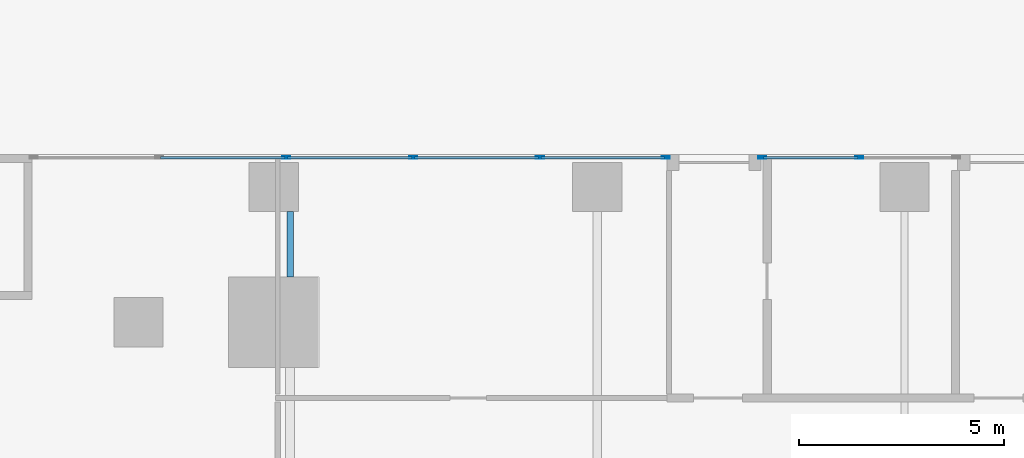
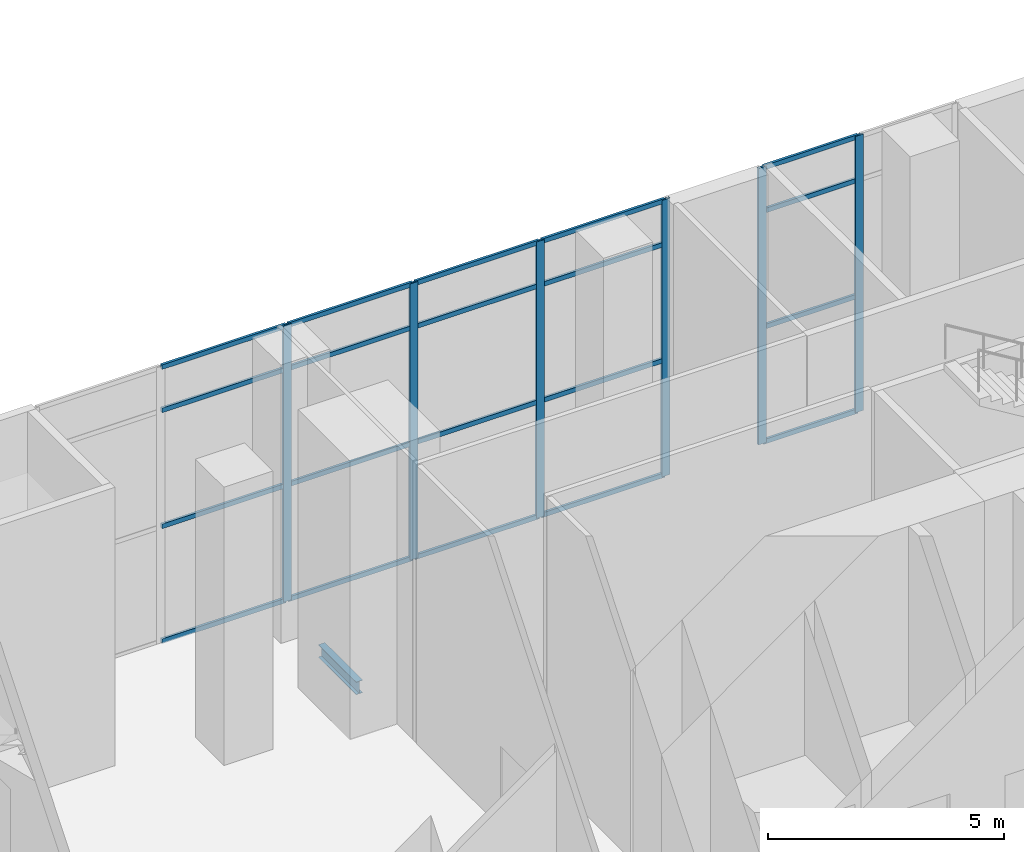
# One storey, part 17 of 52: 26 members, 1 beam, 2 elements without a shape of their own.
"""IFC4 building model written with IfcOpenShell, lengths in metres."""

import ifcopenshell
import ifcopenshell.guid

model = None  # the IFC model being written
_history = None  # IfcOwnerHistory: only IFC2X3 demands one
_inside = {}  # id of a spatial element -> (the spatial element, [elements in it])
_under = {}  # id of a project, library or spatial element -> (it, [spatial elements below it])
_declared = {}  # id of a project -> (the project, [libraries it declares])
_typed = {}  # id of a type object -> (the type object, [elements of that type])
_made_of = {}  # id of a material, layer set ... -> (it, [elements and type objects made of it])


def new_model(schema):
    """Start an empty IFC model of exactly this schema.

    Asked for "IFC4X3", IfcOpenShell would pick the latest addendum, in which some entities
    have other attributes; the version numbers below select the first issue.
    IFC2X3 requires an IfcOwnerHistory on every rooted entity: one is made here for all.
    """
    global model, _history
    if schema == "IFC4X3":
        model = ifcopenshell.file(schema_version=(4, 3, 0, 0))
    else:
        model = ifcopenshell.file(schema=schema)
    _inside.clear()
    _under.clear()
    _declared.clear()
    _typed.clear()
    _made_of.clear()
    _history = None
    if model.schema == "IFC2X3":
        org = make("IfcOrganization", Name="unknown")
        user = make(
            "IfcPersonAndOrganization",
            ThePerson=make("IfcPerson", FamilyName="unknown"),
            TheOrganization=org,
        )
        app = make(
            "IfcApplication",
            ApplicationDeveloper=org,
            Version="unknown",
            ApplicationFullName="unknown",
            ApplicationIdentifier="unknown",
        )
        _history = make(
            "IfcOwnerHistory",
            OwningUser=user,
            OwningApplication=app,
            ChangeAction="ADDED",
            CreationDate=0,
        )
    return model


def make(cls, **values):
    """One entity of the class cls with the attributes given. An attribute that is None is left unset."""
    return model.create_entity(
        cls, **{name: value for name, value in values.items() if value is not None}
    )


def rooted(cls, **values):
    """An entity with a GlobalId (a new one), such as an element, a storey or a relation."""
    return make(cls, GlobalId=ifcopenshell.guid.new(), OwnerHistory=_history, **values)


def si_unit(unit_type, name, prefix=None):
    """IfcSIUnit, for example si_unit("LENGTHUNIT", "METRE", prefix="MILLI")."""
    return make("IfcSIUnit", UnitType=unit_type, Prefix=prefix, Name=name)


def assignment(units):
    """IfcUnitAssignment: the units of a project."""
    return None if units is None else make("IfcUnitAssignment", Units=units)


def point(xyz):
    """IfcCartesianPoint."""
    return None if xyz is None else make("IfcCartesianPoint", Coordinates=xyz)


def direction(xyz):
    """IfcDirection."""
    return None if xyz is None else make("IfcDirection", DirectionRatios=xyz)


def frame(location, z_axis=None, x_axis=None):
    """IfcAxis2Placement3D, a coordinate frame: its origin and axes. An axis left out is left unset."""
    return make(
        "IfcAxis2Placement3D",
        Location=point(location),
        Axis=direction(z_axis),
        RefDirection=direction(x_axis),
    )


def frame_2d(location, x_axis=None):
    """IfcAxis2Placement2D, a coordinate frame in the plane: its origin and x axis."""
    return make(
        "IfcAxis2Placement2D", Location=point(location), RefDirection=direction(x_axis)
    )


def origin():
    """The frame at (0, 0, 0) with its axes left unset."""
    return frame((0.0, 0.0, 0.0))


def origin_2d():
    """The frame at (0, 0) in the plane with its x axis left unset."""
    return frame_2d((0.0, 0.0))


def place(relative_to, where):
    """IfcLocalPlacement: puts the frame where relative to a parent placement (None: the world)."""
    return make(
        "IfcLocalPlacement", PlacementRelTo=relative_to, RelativePlacement=where
    )


def context(
    kind, dimensions, precision=None, world=None, true_north=None, identifier=None
):
    """IfcGeometricRepresentationContext, for example the 3D "Model" context."""
    return make(
        "IfcGeometricRepresentationContext",
        ContextIdentifier=identifier,
        ContextType=kind,
        CoordinateSpaceDimension=dimensions,
        Precision=precision,
        WorldCoordinateSystem=world,
        TrueNorth=true_north,
    )


def subcontext(parent, identifier, kind, view, scale=None):
    """IfcGeometricRepresentationSubContext, for example "Body" below "Model"."""
    return make(
        "IfcGeometricRepresentationSubContext",
        ContextIdentifier=identifier,
        ContextType=kind,
        ParentContext=parent,
        TargetScale=scale,
        TargetView=view,
    )


def project(units=None, contexts=None):
    """IfcProject with its units and contexts."""
    return rooted(
        "IfcProject",
        Name="project",
        RepresentationContexts=contexts,
        UnitsInContext=assignment(units),
    )


def spatial(cls, under=None, at=None, **own):
    """A site, building, storey or space (cls), placed at a placement, below another one or the project."""
    s = rooted(cls, ObjectPlacement=at, **own)
    if under is not None:
        _under.setdefault(under.id(), (under, []))[1].append(s)
    return s


def profile(cls, at=None, kind="AREA", **sizes):
    """A parametric profile (cls). Its sizes go by their IFC names, for example OverallWidth=200.0."""
    return make(cls, ProfileType=kind, Position=at, **sizes)


def hollow_rectangle(**sizes):
    """IfcRectangleHollowProfileDef."""
    return profile("IfcRectangleHollowProfileDef", **sizes)


def i_section(**sizes):
    """IfcIShapeProfileDef."""
    return profile("IfcIShapeProfileDef", **sizes)


def extrude(swept, where, along, depth):
    """IfcExtrudedAreaSolid: the profile swept, set in the frame where, extruded along a direction by depth."""
    return make(
        "IfcExtrudedAreaSolid",
        SweptArea=swept,
        Position=where,
        ExtrudedDirection=direction(along),
        Depth=depth,
    )


def shape(context_of_items, identifier, shape_type, items):
    """IfcShapeRepresentation: the items that make up one representation, for example the "Body"."""
    return make(
        "IfcShapeRepresentation",
        ContextOfItems=context_of_items,
        RepresentationIdentifier=identifier,
        RepresentationType=shape_type,
        Items=items,
    )


def source(mapping_origin, context_of_items, identifier, shape_type, items):
    """IfcRepresentationMap: a shape defined once, which mapped items show again and again."""
    return make(
        "IfcRepresentationMap",
        MappingOrigin=mapping_origin,
        MappedRepresentation=shape(context_of_items, identifier, shape_type, items),
    )


def transform(
    local_origin,
    x_axis=None,
    y_axis=None,
    z_axis=None,
    scale=None,
    scale2=None,
    scale3=None,
    uniform=True,
):
    """IfcCartesianTransformationOperator3D, or its non-uniform kind. x_axis, y_axis, z_axis: its Axis1, 2, 3."""
    if uniform:
        return make(
            "IfcCartesianTransformationOperator3D",
            Axis1=direction(x_axis),
            Axis2=direction(y_axis),
            LocalOrigin=point(local_origin),
            Scale=scale,
            Axis3=direction(z_axis),
        )
    return make(
        "IfcCartesianTransformationOperator3DnonUniform",
        Axis1=direction(x_axis),
        Axis2=direction(y_axis),
        LocalOrigin=point(local_origin),
        Scale=scale,
        Axis3=direction(z_axis),
        Scale2=scale2,
        Scale3=scale3,
    )


def mapped(mapping_source, mapping_target):
    """IfcMappedItem: shows the shape of a source again, moved by a transform."""
    return make(
        "IfcMappedItem", MappingSource=mapping_source, MappingTarget=mapping_target
    )


def material(Name=None, Category=None):
    """IfcMaterial."""
    return make("IfcMaterial", Name=Name, Category=Category)


def material_profile(
    of_material, cross_section, Name=None, Category=None, Priority=None
):
    """IfcMaterialProfile: a cross section and its material."""
    return make(
        "IfcMaterialProfile",
        Name=Name,
        Material=of_material,
        Profile=cross_section,
        Priority=Priority,
        Category=Category,
    )


def profile_set(profiles, Name=None, composite=None):
    """IfcMaterialProfileSet."""
    return make(
        "IfcMaterialProfileSet",
        Name=Name,
        MaterialProfiles=profiles,
        CompositeProfile=composite,
    )


def made_of(thing, what):
    """Note that an element or type object is made of a material, layer set ...; save() writes the relation."""
    if what is not None:
        _made_of.setdefault(what.id(), (what, []))[1].append(thing)
    return thing


def type_object(cls, material=None, **own):
    """A type object (cls), such as IfcWallType, which elements share."""
    return made_of(rooted(cls, **own), material)


def element(
    cls,
    number,
    at=None,
    inside=None,
    cuts=None,
    type_object=None,
    material=None,
    context=None,
    identifier="Body",
    shape_type=None,
    held_by="IfcProductDefinitionShape",
    body=None,
    shapes=None,
    **own,
):
    """One element of the class cls, such as IfcWall. Its Tag is "e" and its number.

    at: its placement. inside: the storey or other place that contains it. cuts: it is an
    opening in that element (IfcRelVoidsElement). A single representation is given by context,
    identifier, shape_type and body (its items); several are given by shapes. held_by: the class
    of the entity that holds the representations. save() writes the other relations.
    """
    e = rooted(cls, Tag="e%d" % number, ObjectPlacement=at, **own)
    if body is not None:
        shapes = [shape(context, identifier, shape_type, body)]
    if shapes is not None:
        e.Representation = make(held_by, Representations=shapes)
    if inside is not None:
        _inside.setdefault(inside.id(), (inside, []))[1].append(e)
    if cuts is not None:
        rooted(
            "IfcRelVoidsElement", RelatingBuildingElement=cuts, RelatedOpeningElement=e
        )
    if type_object is not None:
        _typed.setdefault(type_object.id(), (type_object, []))[1].append(e)
    return made_of(e, material)


def aggregate(whole, parts):
    """IfcRelAggregates: a whole, such as a stair, and the parts it consists of."""
    return rooted("IfcRelAggregates", RelatingObject=whole, RelatedObjects=parts)


def save(model, path):
    """Write the relations noted so far, then the file.

    IfcRelAggregates (storeys below a building ...), IfcRelContainedInSpatialStructure (elements
    in a storey), IfcRelDefinesByType, IfcRelAssociatesMaterial and IfcRelDeclares: one each for
    every whole, place, type object, material and project.
    """
    for whole, parts in _under.values():
        aggregate(whole, parts)
    for where, things in _inside.values():
        rooted(
            "IfcRelContainedInSpatialStructure",
            RelatedElements=things,
            RelatingStructure=where,
        )
    for kind, things in _typed.values():
        rooted("IfcRelDefinesByType", RelatedObjects=things, RelatingType=kind)
    for what, things in _made_of.values():
        rooted("IfcRelAssociatesMaterial", RelatedObjects=things, RelatingMaterial=what)
    for by, libraries in _declared.values():
        rooted("IfcRelDeclares", RelatingContext=by, RelatedDefinitions=libraries)
    model.write(path)


model = new_model("IFC4")

# Units and contexts
model_context = context("Model", 3, precision=1e-05, world=origin(), true_north=direction((0.0, 1.0)))
body_context = subcontext(model_context, "Body", "Model", "MODEL_VIEW")
ifc_project = project(units=[si_unit("LENGTHUNIT", "METRE"), si_unit("AREAUNIT", "SQUARE_METRE"), si_unit("VOLUMEUNIT", "CUBIC_METRE"), si_unit("PLANEANGLEUNIT", "RADIAN"), si_unit("MASSUNIT", "GRAM", prefix="KILO")], contexts=[model_context])

# Site, building, storey
site_placement = place(None, origin())
site = spatial("IfcSite", under=ifc_project, at=site_placement, CompositionType="ELEMENT")
building_placement = place(site_placement, origin())
building = spatial("IfcBuilding", under=site, at=building_placement, Name="Khomas Fold Tower", CompositionType="ELEMENT")
storey_placement = place(building_placement, origin())
storey = spatial("IfcBuildingStorey", under=building, at=storey_placement, Name="L00", CompositionType="ELEMENT", Elevation=0.0)

# Beam
ifc_material_1 = material(Name="Steel S355", Category="steel")
ifc_material_profile_1 = material_profile(ifc_material_1, i_section(OverallWidth=0.159912109375, OverallDepth=0.330078125, WebThickness=0.007568359375, FlangeThickness=0.011474609375, at=origin_2d()), Name="IPE 330")
ifc_profile_set_1 = profile_set([ifc_material_profile_1], Name="Steel S355")
beam_type = type_object("IfcBeamType", Name="IPE 330 beam JB1", PredefinedType="BEAM", material=ifc_profile_set_1)
shared_shape_1 = source(origin(), body_context, "Body", "SweptSolid", [
    extrude(i_section(OverallWidth=0.159912109375, OverallDepth=0.330078125, WebThickness=0.007568359375, FlangeThickness=0.011474609375, at=origin_2d()), origin(), (0.0, 0.0, 1.0), 1.60009765625),
])
beam_placement = place(storey_placement, frame((4.5, 51.0, -0.514892578125), z_axis=(0.0, 1.0, 0.0), x_axis=(-1.0, 0.0, 0.0)))
element("IfcBeam", 1, at=beam_placement, inside=storey, type_object=beam_type, Name="JB1", PredefinedType="BEAM", context=body_context, shape_type="MappedRepresentation", body=[
    mapped(shared_shape_1, transform((0.0, 0.0, 0.0))),
])

# Curtain wall, members
ifc_material_2 = material(Name="Aluminium framed double glazing", Category="aluminium")
curtain_wall_type = type_object("IfcCurtainWallType", Name="Shopfront glazing PD-CW", PredefinedType="NOTDEFINED", material=ifc_material_2)
curtain_wall_1_placement = place(storey_placement, origin())
curtain_wall_1 = element("IfcCurtainWall", 2, at=curtain_wall_1_placement, inside=storey, type_object=curtain_wall_type, Name="Podium shopfront run", PredefinedType="NOTDEFINED")
ifc_material_3 = material(Name="Aluminium", Category="aluminium")
ifc_material_profile_2 = material_profile(ifc_material_3, hollow_rectangle(XDim=0.06005859375, YDim=0.199951171875, WallThickness=0.00390625, at=origin_2d()), Name="Shopfront glazing mullion PD-CW-M")
ifc_profile_set_2 = profile_set([ifc_material_profile_2], Name="Aluminium")
member_type_1 = type_object("IfcMemberType", Name="Shopfront glazing mullion PD-CW-M", PredefinedType="MULLION", material=ifc_profile_set_2)
shared_shape_2 = source(origin(), body_context, "Body", "SweptSolid", [
    extrude(hollow_rectangle(XDim=0.06005859375, YDim=0.199951171875, WallThickness=0.00390625, at=origin_2d()), origin(), (0.0, 0.0, 1.0), 7.14990234375),
])
member_1_placement = place(storey_placement, frame((18.39990234375, 53.919921875, 0.0), z_axis=(0.0, 0.0, 1.0), x_axis=(0.0, -1.0, 0.0)))
member_1 = element("IfcMember", 3, at=member_1_placement, type_object=member_type_1, Name="PD-CW mullion 2", PredefinedType="MULLION", context=body_context, shape_type="MappedRepresentation", body=[
    mapped(shared_shape_2, transform((0.0, 0.0, 0.0))),
])
member_2_placement = place(storey_placement, frame((16.030029296875, 53.919921875, 0.0), z_axis=(0.0, 0.0, 1.0), x_axis=(0.0, -1.0, 0.0)))
member_2 = element("IfcMember", 4, at=member_2_placement, type_object=member_type_1, Name="PD-CW mullion 3", PredefinedType="MULLION", context=body_context, shape_type="MappedRepresentation", body=[
    mapped(shared_shape_2, transform((0.0, 0.0, 0.0))),
])

curtain_wall_2_placement = place(storey_placement, origin())
curtain_wall_2 = element("IfcCurtainWall", 5, at=curtain_wall_2_placement, inside=storey, type_object=curtain_wall_type, Name="Podium shopfront run", PredefinedType="NOTDEFINED")
member_3_placement = place(storey_placement, frame((13.669921875, 53.919921875, 0.0), z_axis=(0.0, 0.0, 1.0), x_axis=(0.0, -1.0, 0.0)))
member_3 = element("IfcMember", 6, at=member_3_placement, type_object=member_type_1, Name="PD-CW mullion 1", PredefinedType="MULLION", context=body_context, shape_type="MappedRepresentation", body=[
    mapped(shared_shape_2, transform((0.0, 0.0, 0.0))),
])
member_4_placement = place(storey_placement, frame((10.60205078125, 53.919921875, 0.0), z_axis=(0.0, 0.0, 1.0), x_axis=(0.0, -1.0, 0.0)))
member_4 = element("IfcMember", 7, at=member_4_placement, type_object=member_type_1, Name="PD-CW mullion 2", PredefinedType="MULLION", context=body_context, shape_type="MappedRepresentation", body=[
    mapped(shared_shape_2, transform((0.0, 0.0, 0.0))),
])
member_5_placement = place(storey_placement, frame((7.50390625, 53.919921875, 0.0), z_axis=(0.0, 0.0, 1.0), x_axis=(0.0, -1.0, 0.0)))
member_5 = element("IfcMember", 8, at=member_5_placement, type_object=member_type_1, Name="PD-CW mullion 3", PredefinedType="MULLION", context=body_context, shape_type="MappedRepresentation", body=[
    mapped(shared_shape_2, transform((0.0, 0.0, 0.0))),
])
member_6_placement = place(storey_placement, frame((4.406005859375, 53.919921875, 0.0), z_axis=(0.0, 0.0, 1.0), x_axis=(0.0, -1.0, 0.0)))
member_6 = element("IfcMember", 9, at=member_6_placement, type_object=member_type_1, Name="PD-CW mullion 4", PredefinedType="MULLION", context=body_context, shape_type="MappedRepresentation", body=[
    mapped(shared_shape_2, transform((0.0, 0.0, 0.0))),
])
ifc_material_4 = material(Name="Aluminium", Category="aluminium")
ifc_material_profile_3 = material_profile(ifc_material_4, hollow_rectangle(XDim=0.06005859375, YDim=0.1201171875, WallThickness=0.00390625, at=origin_2d()), Name="Shopfront glazing transom PD-CW-T")
ifc_profile_set_3 = profile_set([ifc_material_profile_3], Name="Aluminium")
member_type_2 = type_object("IfcMemberType", Name="Shopfront glazing transom PD-CW-T", PredefinedType="USERDEFINED", material=ifc_profile_set_3)
shared_shape_3 = source(origin(), body_context, "Body", "SweptSolid", [
    extrude(hollow_rectangle(XDim=0.06005859375, YDim=0.1201171875, WallThickness=0.00390625, at=origin_2d()), origin(), (0.0, 0.0, 1.0), 3.0380859375),
])
member_7_placement = place(storey_placement, frame((10.572021484375, 53.919921875, 0.030029296875), z_axis=(-1.0, 0.0, 0.0), x_axis=(0.0, -1.0, 0.0)))
member_7 = element("IfcMember", 10, at=member_7_placement, type_object=member_type_2, Name="PD-CW transom 2.1", ObjectType="TRANSOM", PredefinedType="USERDEFINED", context=body_context, shape_type="MappedRepresentation", body=[
    mapped(shared_shape_3, transform((0.0, 0.0, 0.0))),
])
member_8_placement = place(storey_placement, frame((10.572021484375, 53.919921875, 3.0), z_axis=(-1.0, 0.0, 0.0), x_axis=(0.0, -1.0, 0.0)))
member_8 = element("IfcMember", 11, at=member_8_placement, type_object=member_type_2, Name="PD-CW transom 2.2", ObjectType="TRANSOM", PredefinedType="USERDEFINED", context=body_context, shape_type="MappedRepresentation", body=[
    mapped(shared_shape_3, transform((0.0, 0.0, 0.0))),
])
member_9_placement = place(storey_placement, frame((10.572021484375, 53.919921875, 6.0), z_axis=(-1.0, 0.0, 0.0), x_axis=(0.0, -1.0, 0.0)))
member_9 = element("IfcMember", 12, at=member_9_placement, type_object=member_type_2, Name="PD-CW transom 2.3", ObjectType="TRANSOM", PredefinedType="USERDEFINED", context=body_context, shape_type="MappedRepresentation", body=[
    mapped(shared_shape_3, transform((0.0, 0.0, 0.0))),
])
member_10_placement = place(storey_placement, frame((10.572021484375, 53.919921875, 7.1201171875), z_axis=(-1.0, 0.0, 0.0), x_axis=(0.0, -1.0, 0.0)))
member_10 = element("IfcMember", 13, at=member_10_placement, type_object=member_type_2, Name="PD-CW transom 2.4", ObjectType="TRANSOM", PredefinedType="USERDEFINED", context=body_context, shape_type="MappedRepresentation", body=[
    mapped(shared_shape_3, transform((0.0, 0.0, 0.0))),
])
member_11_placement = place(storey_placement, frame((7.47412109375, 53.919921875, 0.030029296875), z_axis=(-1.0, 0.0, 0.0), x_axis=(0.0, -1.0, 0.0)))
member_11 = element("IfcMember", 14, at=member_11_placement, type_object=member_type_2, Name="PD-CW transom 3.1", ObjectType="TRANSOM", PredefinedType="USERDEFINED", context=body_context, shape_type="MappedRepresentation", body=[
    mapped(shared_shape_3, transform((0.0, 0.0, 0.0))),
])
member_12_placement = place(storey_placement, frame((7.47412109375, 53.919921875, 3.0), z_axis=(-1.0, 0.0, 0.0), x_axis=(0.0, -1.0, 0.0)))
member_12 = element("IfcMember", 15, at=member_12_placement, type_object=member_type_2, Name="PD-CW transom 3.2", ObjectType="TRANSOM", PredefinedType="USERDEFINED", context=body_context, shape_type="MappedRepresentation", body=[
    mapped(shared_shape_3, transform((0.0, 0.0, 0.0))),
])
member_13_placement = place(storey_placement, frame((7.47412109375, 53.919921875, 6.0), z_axis=(-1.0, 0.0, 0.0), x_axis=(0.0, -1.0, 0.0)))
member_13 = element("IfcMember", 16, at=member_13_placement, type_object=member_type_2, Name="PD-CW transom 3.3", ObjectType="TRANSOM", PredefinedType="USERDEFINED", context=body_context, shape_type="MappedRepresentation", body=[
    mapped(shared_shape_3, transform((0.0, 0.0, 0.0))),
])
member_14_placement = place(storey_placement, frame((7.47412109375, 53.919921875, 7.1201171875), z_axis=(-1.0, 0.0, 0.0), x_axis=(0.0, -1.0, 0.0)))
member_14 = element("IfcMember", 17, at=member_14_placement, type_object=member_type_2, Name="PD-CW transom 3.4", ObjectType="TRANSOM", PredefinedType="USERDEFINED", context=body_context, shape_type="MappedRepresentation", body=[
    mapped(shared_shape_3, transform((0.0, 0.0, 0.0))),
])
member_15_placement = place(storey_placement, frame((4.3759765625, 53.919921875, 0.030029296875), z_axis=(-1.0, 0.0, 0.0), x_axis=(0.0, -1.0, 0.0)))
member_15 = element("IfcMember", 18, at=member_15_placement, type_object=member_type_2, Name="PD-CW transom 4.1", ObjectType="TRANSOM", PredefinedType="USERDEFINED", context=body_context, shape_type="MappedRepresentation", body=[
    mapped(shared_shape_3, transform((0.0, 0.0, 0.0))),
])
member_16_placement = place(storey_placement, frame((4.3759765625, 53.919921875, 3.0), z_axis=(-1.0, 0.0, 0.0), x_axis=(0.0, -1.0, 0.0)))
member_16 = element("IfcMember", 19, at=member_16_placement, type_object=member_type_2, Name="PD-CW transom 4.2", ObjectType="TRANSOM", PredefinedType="USERDEFINED", context=body_context, shape_type="MappedRepresentation", body=[
    mapped(shared_shape_3, transform((0.0, 0.0, 0.0))),
])
member_17_placement = place(storey_placement, frame((4.3759765625, 53.919921875, 6.0), z_axis=(-1.0, 0.0, 0.0), x_axis=(0.0, -1.0, 0.0)))
member_17 = element("IfcMember", 20, at=member_17_placement, type_object=member_type_2, Name="PD-CW transom 4.3", ObjectType="TRANSOM", PredefinedType="USERDEFINED", context=body_context, shape_type="MappedRepresentation", body=[
    mapped(shared_shape_3, transform((0.0, 0.0, 0.0))),
])
member_18_placement = place(storey_placement, frame((4.3759765625, 53.919921875, 7.1201171875), z_axis=(-1.0, 0.0, 0.0), x_axis=(0.0, -1.0, 0.0)))
member_18 = element("IfcMember", 21, at=member_18_placement, type_object=member_type_2, Name="PD-CW transom 4.4", ObjectType="TRANSOM", PredefinedType="USERDEFINED", context=body_context, shape_type="MappedRepresentation", body=[
    mapped(shared_shape_3, transform((0.0, 0.0, 0.0))),
])
shared_shape_4 = source(origin(), body_context, "Body", "SweptSolid", [
    extrude(hollow_rectangle(XDim=0.06005859375, YDim=0.1201171875, WallThickness=0.00390625, at=origin_2d()), origin(), (0.0, 0.0, 1.0), 3.0078125),
])
member_19_placement = place(storey_placement, frame((13.639892578125, 53.919921875, 0.030029296875), z_axis=(-1.0, 0.0, 0.0), x_axis=(0.0, -1.0, 0.0)))
member_19 = element("IfcMember", 22, at=member_19_placement, type_object=member_type_2, Name="PD-CW transom 1.1", ObjectType="TRANSOM", PredefinedType="USERDEFINED", context=body_context, shape_type="MappedRepresentation", body=[
    mapped(shared_shape_4, transform((0.0, 0.0, 0.0))),
])
member_20_placement = place(storey_placement, frame((13.639892578125, 53.919921875, 3.0), z_axis=(-1.0, 0.0, 0.0), x_axis=(0.0, -1.0, 0.0)))
member_20 = element("IfcMember", 23, at=member_20_placement, type_object=member_type_2, Name="PD-CW transom 1.2", ObjectType="TRANSOM", PredefinedType="USERDEFINED", context=body_context, shape_type="MappedRepresentation", body=[
    mapped(shared_shape_4, transform((0.0, 0.0, 0.0))),
])
member_21_placement = place(storey_placement, frame((13.639892578125, 53.919921875, 6.0), z_axis=(-1.0, 0.0, 0.0), x_axis=(0.0, -1.0, 0.0)))
member_21 = element("IfcMember", 24, at=member_21_placement, type_object=member_type_2, Name="PD-CW transom 1.3", ObjectType="TRANSOM", PredefinedType="USERDEFINED", context=body_context, shape_type="MappedRepresentation", body=[
    mapped(shared_shape_4, transform((0.0, 0.0, 0.0))),
])
member_22_placement = place(storey_placement, frame((13.639892578125, 53.919921875, 7.1201171875), z_axis=(-1.0, 0.0, 0.0), x_axis=(0.0, -1.0, 0.0)))
member_22 = element("IfcMember", 25, at=member_22_placement, type_object=member_type_2, Name="PD-CW transom 1.4", ObjectType="TRANSOM", PredefinedType="USERDEFINED", context=body_context, shape_type="MappedRepresentation", body=[
    mapped(shared_shape_4, transform((0.0, 0.0, 0.0))),
])
aggregate(curtain_wall_2, [member_3, member_4, member_5, member_6, member_19, member_20, member_21, member_22, member_7, member_8, member_9, member_10, member_11, member_12, member_13, member_14, member_15, member_16, member_17, member_18])

# Member
shared_shape_5 = source(origin(), body_context, "Body", "SweptSolid", [
    extrude(hollow_rectangle(XDim=0.06005859375, YDim=0.1201171875, WallThickness=0.00390625, at=origin_2d()), origin(), (0.0, 0.0, 1.0), 2.31005859375),
])
member_23_placement = place(storey_placement, frame((18.3701171875, 53.919921875, 0.030029296875), z_axis=(-1.0, 0.0, 0.0), x_axis=(0.0, -1.0, 0.0)))
member_23 = element("IfcMember", 26, at=member_23_placement, type_object=member_type_2, Name="PD-CW transom 2.1", ObjectType="TRANSOM", PredefinedType="USERDEFINED", context=body_context, shape_type="MappedRepresentation", body=[
    mapped(shared_shape_5, transform((0.0, 0.0, 0.0))),
])

member_24_placement = place(storey_placement, frame((18.3701171875, 53.919921875, 3.0), z_axis=(-1.0, 0.0, 0.0), x_axis=(0.0, -1.0, 0.0)))
member_24 = element("IfcMember", 27, at=member_24_placement, type_object=member_type_2, Name="PD-CW transom 2.2", ObjectType="TRANSOM", PredefinedType="USERDEFINED", context=body_context, shape_type="MappedRepresentation", body=[
    mapped(shared_shape_5, transform((0.0, 0.0, 0.0))),
])

member_25_placement = place(storey_placement, frame((18.3701171875, 53.919921875, 6.0), z_axis=(-1.0, 0.0, 0.0), x_axis=(0.0, -1.0, 0.0)))
member_25 = element("IfcMember", 28, at=member_25_placement, type_object=member_type_2, Name="PD-CW transom 2.3", ObjectType="TRANSOM", PredefinedType="USERDEFINED", context=body_context, shape_type="MappedRepresentation", body=[
    mapped(shared_shape_5, transform((0.0, 0.0, 0.0))),
])

member_26_placement = place(storey_placement, frame((18.3701171875, 53.919921875, 7.1201171875), z_axis=(-1.0, 0.0, 0.0), x_axis=(0.0, -1.0, 0.0)))
member_26 = element("IfcMember", 29, at=member_26_placement, type_object=member_type_2, Name="PD-CW transom 2.4", ObjectType="TRANSOM", PredefinedType="USERDEFINED", context=body_context, shape_type="MappedRepresentation", body=[
    mapped(shared_shape_5, transform((0.0, 0.0, 0.0))),
])

aggregate(curtain_wall_1, [member_1, member_2, member_23, member_24, member_25, member_26])

save(model, "model.ifc")
